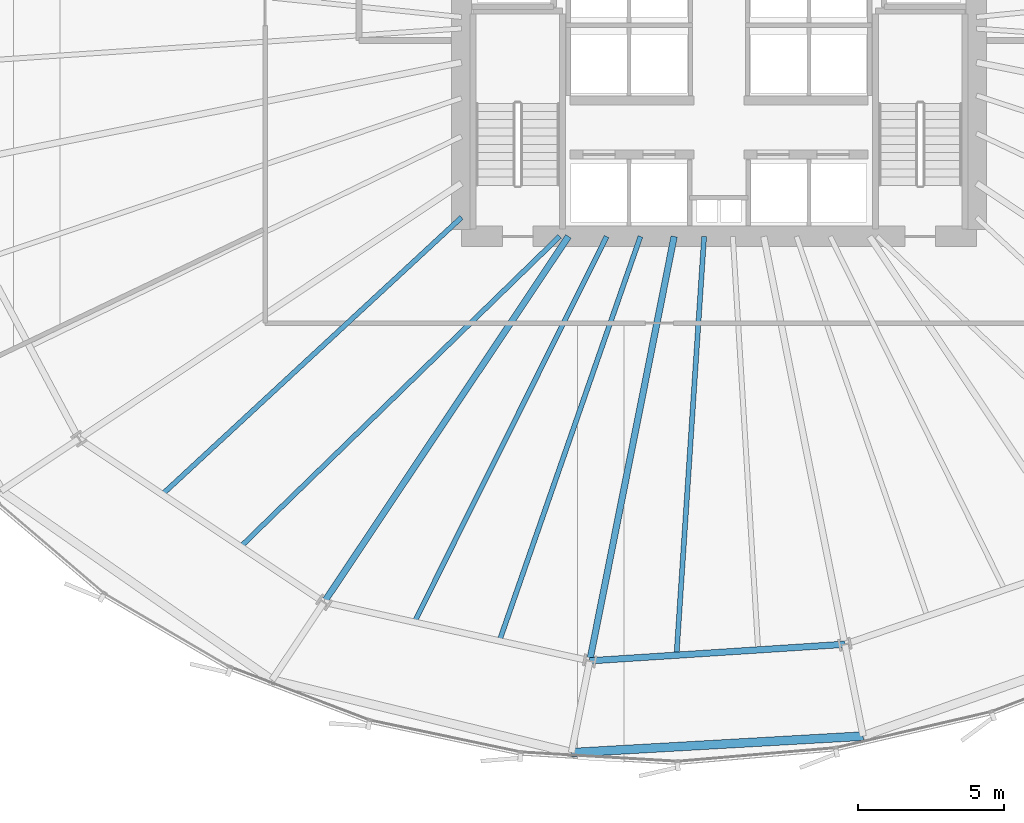
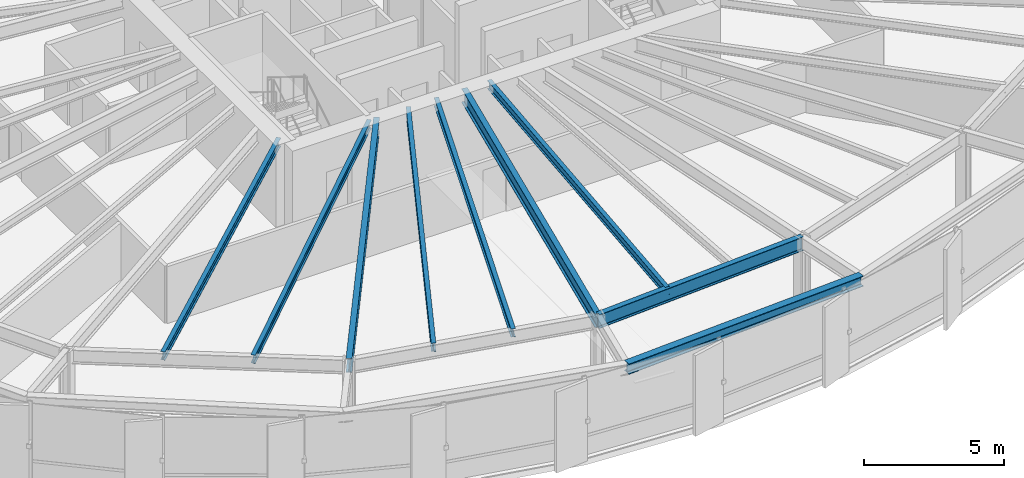
# One storey, part 5 of 38: 9 beams.
"""IFC4 building model written with IfcOpenShell, lengths in metres."""

from ifc_helpers import new_model, si_unit, direction, frame, origin, origin_2d, place, context, subcontext, project, spatial, i_section, extrude, source, transform, mapped, material, material_profile, profile_set, type_object, element, save


model = new_model("IFC4")

# Units and contexts
model_context = context("Model", 3, precision=1e-05, world=origin(), true_north=direction((0.0, 1.0)))
body_context = subcontext(model_context, "Body", "Model", "MODEL_VIEW")
ifc_project = project(units=[si_unit("LENGTHUNIT", "METRE"), si_unit("AREAUNIT", "SQUARE_METRE"), si_unit("VOLUMEUNIT", "CUBIC_METRE"), si_unit("PLANEANGLEUNIT", "RADIAN"), si_unit("MASSUNIT", "GRAM", prefix="KILO"), si_unit("THERMODYNAMICTEMPERATUREUNIT", "KELVIN")], contexts=[model_context])

# Site, building, storey
site_placement = place(None, origin())
site = spatial("IfcSite", under=ifc_project, at=site_placement, CompositionType="ELEMENT")
building_placement = place(site_placement, origin())
building = spatial("IfcBuilding", under=site, at=building_placement, Name="Kethvar Cultural Tower", CompositionType="ELEMENT")
storey_placement = place(building_placement, frame((0.0, 0.0, 67.60009765625)))
storey = spatial("IfcBuildingStorey", under=building, at=storey_placement, Name="L16", CompositionType="ELEMENT", Elevation=67.60009765625)

# Beams
ifc_material = material(Name="Steel S355J2", Category="steel")
ifc_material_profile_1 = material_profile(ifc_material, i_section(OverallWidth=0.219970703125, OverallDepth=0.60009765625, WebThickness=0.011962890625, FlangeThickness=0.01904296875, FilletRadius=0.02392578125, at=origin_2d()), Name="Steel S355J2 — IPE600")
ifc_profile_set_1 = profile_set([ifc_material_profile_1], Name="Steel S355J2 — IPE600")
beam_type_1 = type_object("IfcBeamType", Name="BM-IPE600", PredefinedType="BEAM", material=ifc_profile_set_1)
shared_shape_1 = source(origin(), body_context, "Body", "SweptSolid", [
    extrude(i_section(OverallWidth=0.219970703125, OverallDepth=0.60009765625, WebThickness=0.011962890625, FlangeThickness=0.01904296875, FilletRadius=0.02392578125, at=origin_2d()), origin(), (0.0, 0.0, 1.0), 15.03515625),
])
beam_1_placement = place(storey_placement, frame((41.655029296875, 20.10009765625, 3.247802734375), z_axis=(-0.555569254616, -0.83147026605, 0.0), x_axis=(0.83147026605, -0.555569254616, 0.0)))
element("IfcBeam", 1, at=beam_1_placement, inside=storey, type_object=beam_type_1, Name="L16 Primary Radial Beam RB-11", PredefinedType="BEAM", context=body_context, shape_type="MappedRepresentation", body=[
    mapped(shared_shape_1, transform((0.0, 0.0, 0.0), scale=1.0)),
])
shared_shape_2 = source(origin(), body_context, "Body", "SweptSolid", [
    extrude(i_section(OverallWidth=0.219970703125, OverallDepth=0.60009765625, WebThickness=0.011962890625, FlangeThickness=0.01904296875, FilletRadius=0.02392578125, at=origin_2d()), origin(), (0.0, 0.0, 1.0), 14.7880859375),
])
beam_2_placement = place(storey_placement, frame((45.268310546875, 20.10009765625, 3.247802734375), z_axis=(-0.1950905456, -0.98078523593, 0.0), x_axis=(0.98078523593, -0.1950905456, 0.0)))
element("IfcBeam", 2, at=beam_2_placement, inside=storey, type_object=beam_type_1, Name="L16 Primary Radial Beam RB-12", PredefinedType="BEAM", context=body_context, shape_type="MappedRepresentation", body=[
    mapped(shared_shape_2, transform((0.0, 0.0, 0.0), scale=1.0)),
])
ifc_material_profile_2 = material_profile(ifc_material, i_section(OverallWidth=0.169921875, OverallDepth=0.360107421875, WebThickness=0.008056640625, FlangeThickness=0.0126953125, FilletRadius=0.01806640625, at=origin_2d()), Name="Steel S355J2 — IPE360")
ifc_profile_set_2 = profile_set([ifc_material_profile_2], Name="Steel S355J2 — IPE360")
beam_type_2 = type_object("IfcBeamType", Name="BM-J360", PredefinedType="JOIST", material=ifc_profile_set_2)
shared_shape_3 = source(origin(), body_context, "Body", "SweptSolid", [
    extrude(i_section(OverallWidth=0.169921875, OverallDepth=0.360107421875, WebThickness=0.008056640625, FlangeThickness=0.0126953125, FilletRadius=0.01806640625, at=origin_2d()), origin(), (0.0, 0.0, 1.0), 13.93505859375),
])
beam_3_placement = place(storey_placement, frame((38.0, 20.75, 3.367919921875), z_axis=(-0.733909459287, -0.679247308106, 0.0), x_axis=(0.679247308106, -0.733909459287, 0.0)))
element("IfcBeam", 3, at=beam_3_placement, inside=storey, type_object=beam_type_2, Name="L16 Composite Floor Joist J-10A", PredefinedType="JOIST", context=body_context, shape_type="MappedRepresentation", body=[
    mapped(shared_shape_3, transform((0.0, 0.0, 0.0), scale=1.0)),
])
shared_shape_4 = source(origin(), body_context, "Body", "SweptSolid", [
    extrude(i_section(OverallWidth=0.169921875, OverallDepth=0.360107421875, WebThickness=0.008056640625, FlangeThickness=0.0126953125, FilletRadius=0.01806640625, at=origin_2d()), origin(), (0.0, 0.0, 1.0), 15.20361328125),
])
beam_4_placement = place(storey_placement, frame((41.35009765625, 20.10009765625, 3.367919921875), z_axis=(-0.716707709325, -0.697373687053, 0.0), x_axis=(0.697373687053, -0.716707709325, 0.0)))
element("IfcBeam", 4, at=beam_4_placement, inside=storey, type_object=beam_type_2, Name="L16 Composite Floor Joist J-10B", PredefinedType="JOIST", context=body_context, shape_type="MappedRepresentation", body=[
    mapped(shared_shape_4, transform((0.0, 0.0, 0.0), scale=1.0)),
])
shared_shape_5 = source(origin(), body_context, "Body", "SweptSolid", [
    extrude(i_section(OverallWidth=0.169921875, OverallDepth=0.360107421875, WebThickness=0.008056640625, FlangeThickness=0.0126953125, FilletRadius=0.01806640625, at=origin_2d()), origin(), (0.0, 0.0, 1.0), 14.729248046875),
])
beam_5_placement = place(storey_placement, frame((42.961181640625, 20.10009765625, 3.367919921875), z_axis=(-0.446152473361, -0.894956965733, 0.0), x_axis=(0.894956965733, -0.446152473361, 0.0)))
element("IfcBeam", 5, at=beam_5_placement, inside=storey, type_object=beam_type_2, Name="L16 Composite Floor Joist J-11A", PredefinedType="JOIST", context=body_context, shape_type="MappedRepresentation", body=[
    mapped(shared_shape_5, transform((0.0, 0.0, 0.0), scale=1.0)),
])
shared_shape_6 = source(origin(), body_context, "Body", "SweptSolid", [
    extrude(i_section(OverallWidth=0.169921875, OverallDepth=0.360107421875, WebThickness=0.008056640625, FlangeThickness=0.0126953125, FilletRadius=0.01806640625, at=origin_2d()), origin(), (0.0, 0.0, 1.0), 14.63916015625),
])
beam_6_placement = place(storey_placement, frame((44.115234375, 20.10009765625, 3.367919921875), z_axis=(-0.329226238223, -0.94425107046, 0.0), x_axis=(0.94425107046, -0.329226238223, 0.0)))
element("IfcBeam", 6, at=beam_6_placement, inside=storey, type_object=beam_type_2, Name="L16 Composite Floor Joist J-11B", PredefinedType="JOIST", context=body_context, shape_type="MappedRepresentation", body=[
    mapped(shared_shape_6, transform((0.0, 0.0, 0.0), scale=1.0)),
])
shared_shape_7 = source(origin(), body_context, "Body", "SweptSolid", [
    extrude(i_section(OverallWidth=0.219970703125, OverallDepth=0.60009765625, WebThickness=0.011962890625, FlangeThickness=0.01904296875, FilletRadius=0.02392578125, at=origin_2d()), origin(), (0.0, 0.0, 1.0), 8.739013671875),
])
beam_7_placement = place(storey_placement, frame((42.38330078125, 5.59619140625, 3.247802734375), z_axis=(0.997897424084, 0.064813046581, 0.0), x_axis=(-0.064813046581, 0.997897424084, 0.0)))
element("IfcBeam", 7, at=beam_7_placement, inside=storey, type_object=beam_type_1, Name="L16 Column Ring Tie Beam CR-12", PredefinedType="BEAM", context=body_context, shape_type="MappedRepresentation", body=[
    mapped(shared_shape_7, transform((0.0, 0.0, 0.0), scale=1.0)),
])
ifc_material_profile_3 = material_profile(ifc_material, i_section(OverallWidth=0.300048828125, OverallDepth=0.449951171875, WebThickness=0.013916015625, FlangeThickness=0.02587890625, FilletRadius=0.027099609375, at=origin_2d()), Name="Steel S355J2 — HEB450")
ifc_profile_set_3 = profile_set([ifc_material_profile_3], Name="Steel S355J2 — HEB450")
beam_type_3 = type_object("IfcBeamType", Name="BM-SP450", PredefinedType="SPANDREL", material=ifc_profile_set_3)
shared_shape_8 = source(origin(), body_context, "Body", "SweptSolid", [
    extrude(i_section(OverallWidth=0.300048828125, OverallDepth=0.449951171875, WebThickness=0.013916015625, FlangeThickness=0.02587890625, FilletRadius=0.027099609375, at=origin_2d()), origin(), (0.0, 0.0, 1.0), 9.9853515625),
])
beam_8_placement = place(storey_placement, frame((41.759033203125, 2.45751953125, 3.322998046875), z_axis=(0.998388517249, 0.056748291829, 0.0), x_axis=(-0.056748291829, 0.998388517249, 0.0)))
element("IfcBeam", 8, at=beam_8_placement, inside=storey, type_object=beam_type_3, Name="L16 Perimeter Spandrel Beam SP-12", PredefinedType="SPANDREL", context=body_context, shape_type="MappedRepresentation", body=[
    mapped(shared_shape_8, transform((0.0, 0.0, 0.0), scale=1.0)),
])
shared_shape_9 = source(origin(), body_context, "Body", "SweptSolid", [
    extrude(i_section(OverallWidth=0.169921875, OverallDepth=0.360107421875, WebThickness=0.008056640625, FlangeThickness=0.0126953125, FilletRadius=0.01806640625, at=origin_2d()), origin(), (0.0, 0.0, 1.0), 14.34228515625),
])
beam_9_placement = place(storey_placement, frame((46.292236328125, 20.10009765625, 3.367919921875), z_axis=(-0.065808348808, -0.997832281111, 0.0), x_axis=(0.997832281111, -0.065808348808, 0.0)))
element("IfcBeam", 9, at=beam_9_placement, inside=storey, type_object=beam_type_2, Name="L16 Composite Floor Joist J-12A", PredefinedType="JOIST", context=body_context, shape_type="MappedRepresentation", body=[
    mapped(shared_shape_9, transform((0.0, 0.0, 0.0), scale=1.0)),
])

save(model, "model.ifc")
